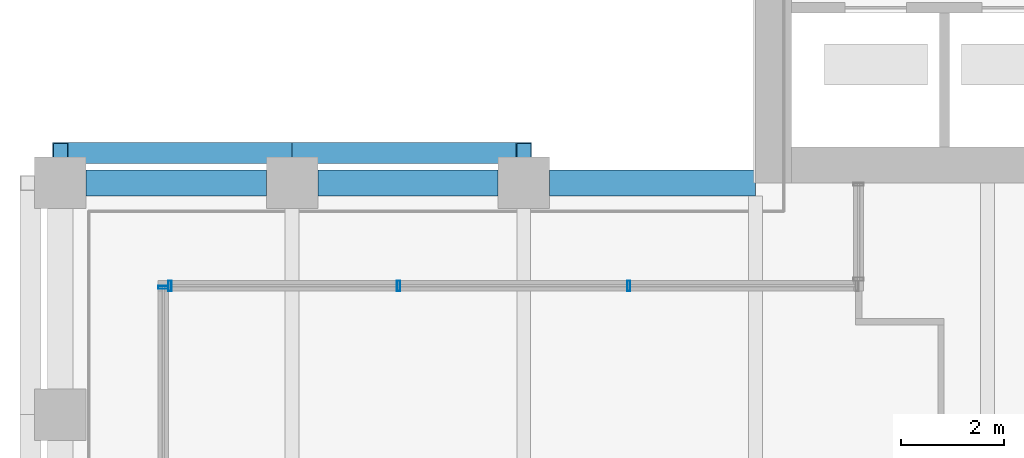
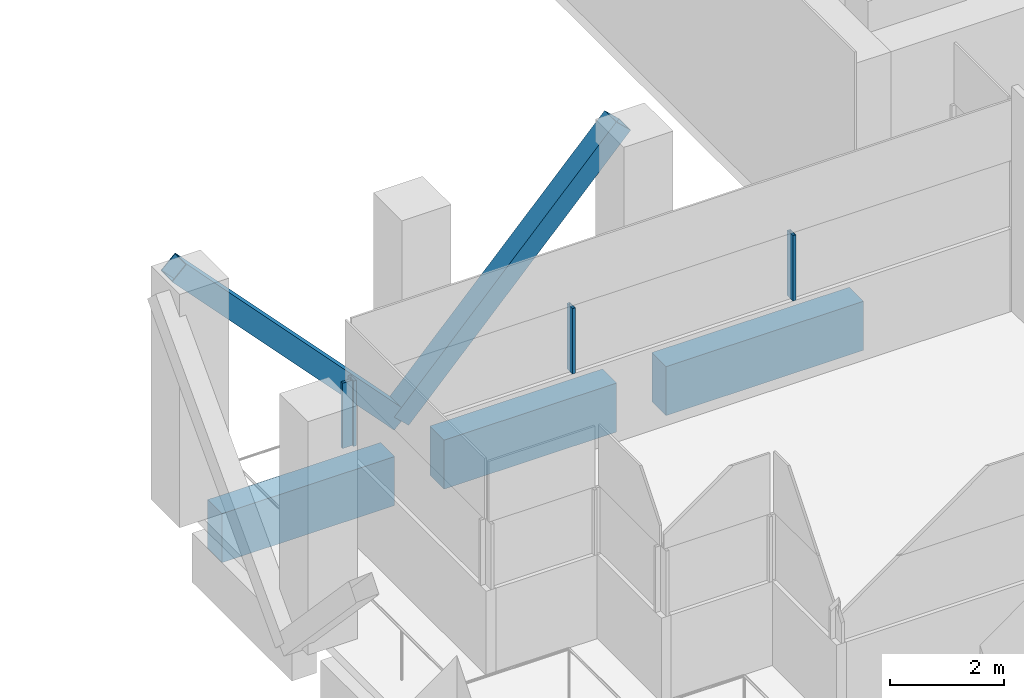
# One storey, part 4 of 48: 6 members, 3 beams, 2 elements without a shape of their own.
"""IFC4 building model written with IfcOpenShell, lengths in metres."""

from ifc_helpers import new_model, si_unit, direction, frame, origin, origin_2d, place, context, subcontext, project, spatial, rectangle, hollow_rectangle, extrude, material, material_profile, profile_set, type_object, element, aggregate, save


model = new_model("IFC4")

# Units and contexts
model_context = context("Model", 3, precision=1e-05, world=origin(), true_north=direction((0.0, 1.0)))
body_context = subcontext(model_context, "Body", "Model", "MODEL_VIEW")
ifc_project = project(units=[si_unit("LENGTHUNIT", "METRE"), si_unit("AREAUNIT", "SQUARE_METRE"), si_unit("VOLUMEUNIT", "CUBIC_METRE"), si_unit("PLANEANGLEUNIT", "RADIAN"), si_unit("MASSUNIT", "GRAM", prefix="KILO")], contexts=[model_context])

# Site, building, storey
site_placement = place(None, origin())
site = spatial("IfcSite", under=ifc_project, at=site_placement, CompositionType="ELEMENT")
building_placement = place(site_placement, origin())
building = spatial("IfcBuilding", under=site, at=building_placement, Name="Altepetl Exchange Towers", CompositionType="ELEMENT")
storey_placement = place(building_placement, frame((0.0, 0.0, 138.800048828125)))
storey = spatial("IfcBuildingStorey", under=building, at=storey_placement, Name="L34 Refuge and sky lobby", CompositionType="ELEMENT", Elevation=138.800048828125)

# Members
ifc_material_1 = material(Name="Steel S355", Category="steel")
ifc_material_profile_1 = material_profile(ifc_material_1, hollow_rectangle(XDim=0.406005859375, YDim=0.406005859375, WallThickness=0.014892578125, at=origin_2d()), Name="HSS406X406X15.9")
ifc_profile_set_1 = profile_set([ifc_material_profile_1], Name="Steel S355")
member_type_1 = type_object("IfcMemberType", Name="Belt diagonal HSS406X406X15.9", PredefinedType="BRACE", material=ifc_profile_set_1)
for number, where, z_axis, x_axis, name in (
    (1, (36.0, 41.080078125, 4.75), (-0.687744647911, 0.0, -0.725952683906), (0.0, -1.0, 0.0), "brc:A:L34:021"),
    (2, (31.5, 41.080078125, 0.0), (-0.687744647911, 0.0, 0.725952683906), (0.0, -1.0, 0.0), "brc:A:L34:022"),
):
    element("IfcMember", number, at=place(storey_placement, frame(where, z_axis=z_axis, x_axis=x_axis)), inside=storey, type_object=member_type_1, Name=name, PredefinedType="BRACE", context=body_context, shape_type="SweptSolid", body=[
        extrude(hollow_rectangle(XDim=0.406005859375, YDim=0.406005859375, WallThickness=0.014892578125, at=origin_2d()), origin(), (0.0, 0.0, 1.0), 6.543212890625),
    ])

# Curtain wall, members
ifc_material_2 = material(Name="Aluminium 6063-T6 glazing", Category="aluminium")
curtain_wall_type = type_object("IfcCurtainWallType", Name="Refuge slit glazing system", PredefinedType="NOTDEFINED", material=ifc_material_2)
curtain_wall_1_placement = place(storey_placement, origin())
curtain_wall_1 = element("IfcCurtainWall", 3, at=curtain_wall_1_placement, inside=storey, type_object=curtain_wall_type, Name="CW3 run", PredefinedType="NOTDEFINED")
ifc_material_3 = material(Name="Aluminium 6063-T6", Category="aluminium")
ifc_material_profile_2 = material_profile(ifc_material_3, hollow_rectangle(XDim=0.06005859375, YDim=0.199951171875, WallThickness=0.0029296875, at=origin_2d()), Name="Mullion 60x200 aluminium")
ifc_profile_set_2 = profile_set([ifc_material_profile_2], Name="Aluminium 6063-T6")
member_type_2 = type_object("IfcMemberType", Name="Mullion 60x200 aluminium", PredefinedType="MULLION", material=ifc_profile_set_2)
member_1_placement = place(storey_placement, frame((38.033447265625, 38.5, 1.800048828125), z_axis=(0.0, 0.0, 1.0), x_axis=(-1.0, 0.0, 0.0)))
member_1 = element("IfcMember", 4, at=member_1_placement, type_object=member_type_2, Name="MU2 mullion", PredefinedType="MULLION", context=body_context, shape_type="SweptSolid", body=[
    extrude(hollow_rectangle(XDim=0.06005859375, YDim=0.199951171875, WallThickness=0.0029296875, at=origin_2d()), origin(), (0.0, 0.0, 1.0), 1.39990234375),
])
member_2_placement = place(storey_placement, frame((33.566650390625, 38.5, 1.800048828125), z_axis=(0.0, 0.0, 1.0), x_axis=(-1.0, 0.0, 0.0)))
member_2 = element("IfcMember", 5, at=member_2_placement, type_object=member_type_2, Name="MU2 mullion", PredefinedType="MULLION", context=body_context, shape_type="SweptSolid", body=[
    extrude(hollow_rectangle(XDim=0.06005859375, YDim=0.199951171875, WallThickness=0.0029296875, at=origin_2d()), origin(), (0.0, 0.0, 1.0), 1.39990234375),
])
member_3_placement = place(storey_placement, frame((29.1298828125, 38.5, 1.800048828125), z_axis=(0.0, 0.0, 1.0), x_axis=(-1.0, 0.0, 0.0)))
member_3 = element("IfcMember", 6, at=member_3_placement, type_object=member_type_2, Name="MU2 mullion", PredefinedType="MULLION", context=body_context, shape_type="SweptSolid", body=[
    extrude(hollow_rectangle(XDim=0.06005859375, YDim=0.199951171875, WallThickness=0.0029296875, at=origin_2d()), origin(), (0.0, 0.0, 1.0), 1.39990234375),
])
aggregate(curtain_wall_1, [member_1, member_2, member_3])

# Curtain wall, member
curtain_wall_2_placement = place(storey_placement, origin())
curtain_wall_2 = element("IfcCurtainWall", 7, at=curtain_wall_2_placement, inside=storey, type_object=curtain_wall_type, Name="CW3 run", PredefinedType="NOTDEFINED")
member_4_placement = place(storey_placement, frame((29.0, 38.469970703125, 1.800048828125), z_axis=(0.0, 0.0, 1.0), x_axis=(0.0, -1.0, 0.0)))
member_4 = element("IfcMember", 8, at=member_4_placement, type_object=member_type_2, Name="MU2 mullion", PredefinedType="MULLION", context=body_context, shape_type="SweptSolid", body=[
    extrude(hollow_rectangle(XDim=0.06005859375, YDim=0.199951171875, WallThickness=0.0029296875, at=origin_2d()), origin(), (0.0, 0.0, 1.0), 1.39990234375),
])
aggregate(curtain_wall_2, [member_4])

# Beams
ifc_material_4 = material(Name="Concrete C50/60 precast with tezontle facing", Category="concrete")
ifc_material_profile_3 = material_profile(ifc_material_4, rectangle(XDim=0.5, YDim=1.050048828125, at=origin_2d()), Name="500 x 1050")
ifc_profile_set_3 = profile_set([ifc_material_profile_3], Name="Concrete C50/60 precast with tezontle facing")
beam_type = type_object("IfcBeamType", Name="Spandrel beam 500x1050 tezontle", PredefinedType="SPANDREL", material=ifc_profile_set_3)
beam_placement = place(storey_placement, frame((40.5, 40.5, -0.72509765625), z_axis=(-1.0, 0.0, 0.0), x_axis=(0.0, -1.0, 0.0)))
element("IfcBeam", 9, at=beam_placement, inside=storey, type_object=beam_type, Name="sp:A:L34:033", PredefinedType="SPANDREL", context=body_context, shape_type="SweptSolid", body=[
    extrude(rectangle(XDim=0.5, YDim=1.050048828125, at=origin_2d()), origin(), (0.0, 0.0, 1.0), 4.0),
])
for number, where, z_axis, x_axis, name in (
    (10, (35.5, 40.5, -0.72509765625), (-1.0, 0.0, 0.0), (0.0, -1.0, 0.0), "sp:A:L34:034"),
    (11, (31.0, 40.5, -0.72509765625), (-1.0, 0.0, 0.0), (0.0, -1.0, 0.0), "sp:A:L34:035"),
):
    element("IfcBeam", number, at=place(storey_placement, frame(where, z_axis=z_axis, x_axis=x_axis)), inside=storey, type_object=beam_type, Name=name, PredefinedType="SPANDREL", context=body_context, shape_type="SweptSolid", body=[
        extrude(rectangle(XDim=0.5, YDim=1.050048828125, at=origin_2d()), origin(), (0.0, 0.0, 1.0), 3.5),
    ])

save(model, "model.ifc")
